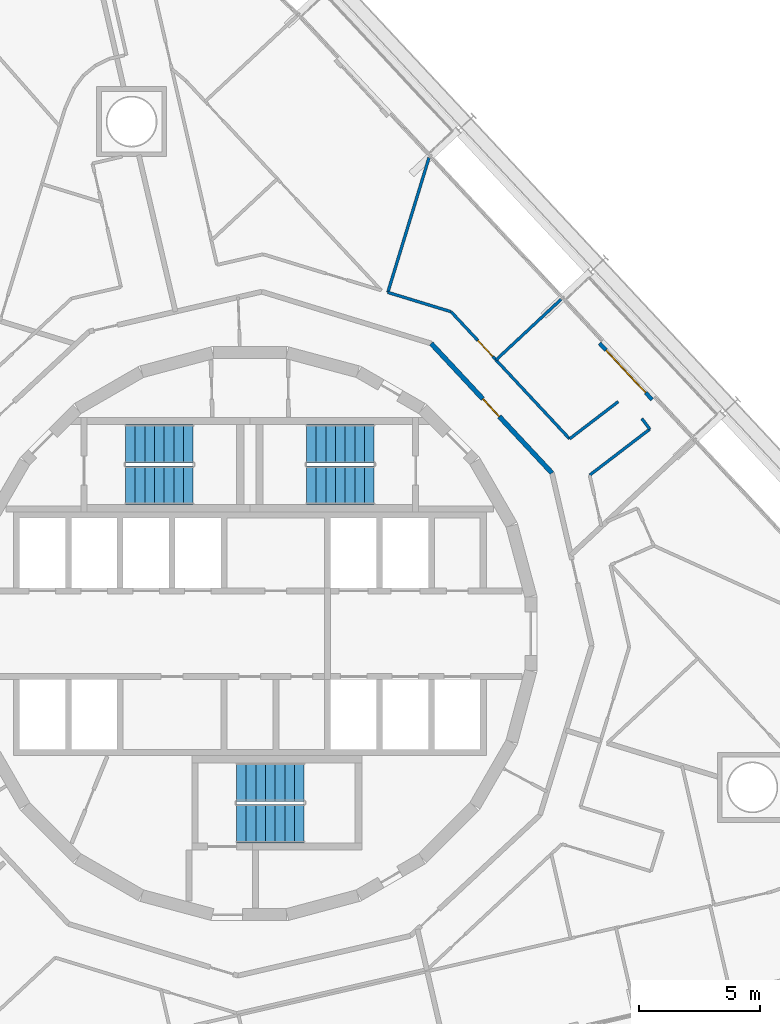
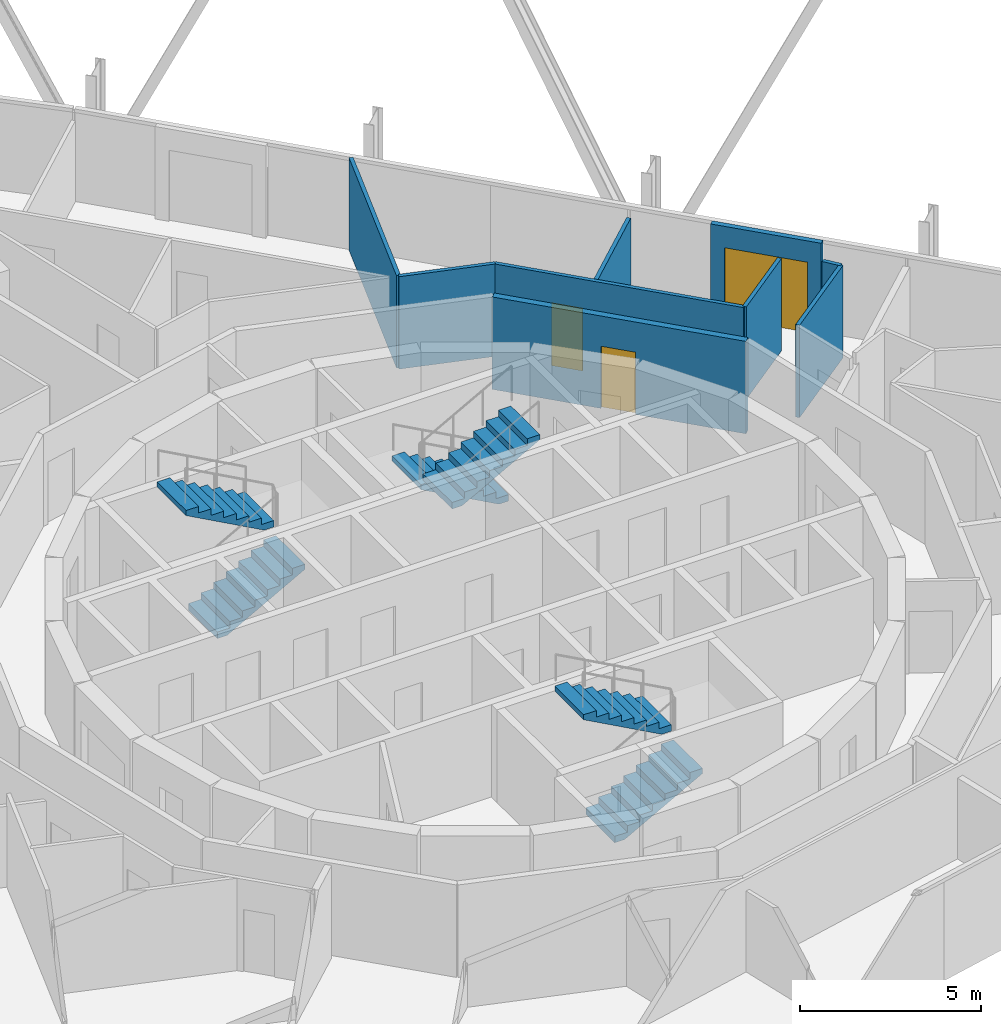
# One storey, part 17 of 18: 9 walls, 6 stair flights, 3 doors, 3 openings, 3 elements without a shape of their own.
"""IFC4 building model written with IfcOpenShell, lengths in metres."""

from ifc_helpers import new_model, si_unit, direction, frame, frame_2d, origin, place, context, subcontext, project, spatial, polyline, rectangle, outline, extrude, material, layer, layer_set, type_object, element, fill, aggregate, save


model = new_model("IFC4")

# Units and contexts
model_context = context("Model", 3, precision=1e-05, world=origin(), true_north=direction((0.0, 1.0)))
body_context = subcontext(model_context, "Body", "Model", "MODEL_VIEW")
ifc_project = project(units=[si_unit("LENGTHUNIT", "METRE"), si_unit("AREAUNIT", "SQUARE_METRE"), si_unit("VOLUMEUNIT", "CUBIC_METRE"), si_unit("PLANEANGLEUNIT", "RADIAN"), si_unit("MASSUNIT", "GRAM", prefix="KILO")], contexts=[model_context])

# Site, building, storey
site_placement = place(None, origin())
site = spatial("IfcSite", under=ifc_project, at=site_placement, CompositionType="ELEMENT")
building_placement = place(site_placement, origin())
building = spatial("IfcBuilding", under=site, at=building_placement, Name="Spindle Arch Residences", CompositionType="ELEMENT")
storey_placement = place(building_placement, frame((0.0, 0.0, 127.39990234375)))
storey = spatial("IfcBuildingStorey", under=building, at=storey_placement, Name="L31", CompositionType="ELEMENT", Elevation=127.39990234375)

# Wall, opening, door
ifc_material_1 = material(Name="Calcium silicate block, plastered")
ifc_layer_1 = layer(ifc_material_1, 0.199951171875)
ifc_layer_set_1 = layer_set([ifc_layer_1], Name="Corridor wall 200")
wall_type_1 = type_object("IfcWallType", Name="Corridor wall 200", PredefinedType="STANDARD", material=ifc_layer_set_1)
wall_1_placement = place(storey_placement, frame((12.523193359375, 6.65869140625, 0.0), z_axis=(0.0, 0.0, 1.0), x_axis=(-0.682001841105, 0.731350455479, 0.0)))
wall_1 = element("IfcWall", 1, at=wall_1_placement, inside=storey, type_object=wall_type_1, Name="Corridor wall R3B0-W005", PredefinedType="STANDARD", context=body_context, shape_type="SweptSolid", body=[
    extrude(rectangle(XDim=7.341796875, YDim=0.199951171875, at=frame_2d((3.6708984375, 0.0))), origin(), (0.0, 0.0, 1.0), 3.1201171875),
])
opening_1_placement = place(wall_1_placement, frame((3.199951171875, 0.0, 0.0)))
opening_1 = element("IfcOpeningElement", 2, at=opening_1_placement, cuts=wall_1, Name="Opening R3B0-FD01", PredefinedType="OPENING", context=body_context, shape_type="SweptSolid", body=[
    extrude(rectangle(XDim=1.0, YDim=2.10009765625, at=frame_2d((0.5, 1.050048828125))), frame((0.0, 0.10986328125, 0.0), z_axis=(0.0, -1.0, 0.0), x_axis=(1.0, 0.0, 0.0)), (0.0, 0.0, 1.0), 0.219970703125),
])
ifc_material_2 = material(Name="Timber, fire-resisting door set", Category="wood")
door_type_1 = type_object("IfcDoorType", Name="Flat entrance door 1000x2100", OperationType="NOTDEFINED", PredefinedType="DOOR", material=ifc_material_2)
door_1_placement = place(opening_1_placement, origin())
door_1 = element("IfcDoor", 3, at=door_1_placement, inside=storey, type_object=door_type_1, Name="Flat entrance door R3B0-FD01", OperationType="SINGLE_SWING_RIGHT", OverallHeight=2.10009765625, OverallWidth=1.0, PredefinedType="DOOR", context=body_context, shape_type="SweptSolid", body=[
    extrude(rectangle(XDim=1.0, YDim=2.10009765625, at=frame_2d((0.5, 1.050048828125))), frame((0.0, 0.02490234375, 0.0), z_axis=(0.0, -1.0, 0.0), x_axis=(1.0, 0.0, 0.0)), (0.0, 0.0, 1.0), 0.050048828125),
])
fill(opening_1, door_1)

# Walls
ifc_material_3 = material(Name="Plasterboard on steel studs", Category="steel")
ifc_layer_2 = layer(ifc_material_3, 0.1201171875)
ifc_layer_set_2 = layer_set([ifc_layer_2], Name="Flat partition 120")
wall_type_2 = type_object("IfcWallType", Name="Flat partition 120", PredefinedType="PARTITIONING", material=ifc_layer_set_2)
wall_2_placement = place(storey_placement, frame((14.083251953125, 6.56884765625, 0.0), z_axis=(0.0, 0.0, 1.0), x_axis=(0.794099847012, 0.607787325449, 0.0)))
element("IfcWall", 4, at=wall_2_placement, inside=storey, type_object=wall_type_2, Name="Flat partition R3B0-W028", PredefinedType="PARTITIONING", context=body_context, shape_type="SweptSolid", body=[
    extrude(rectangle(XDim=3.1435546875, YDim=0.1201171875, at=frame_2d((1.57177734375, 0.0))), origin(), (0.0, 0.0, 1.0), 3.1201171875),
])
wall_3_placement = place(storey_placement, frame((16.57958984375, 8.4794921875, 0.0), z_axis=(0.0, 0.0, 1.0), x_axis=(-0.607993560766, 0.793941956359, 0.0)))
element("IfcWall", 5, at=wall_3_placement, inside=storey, type_object=wall_type_2, Name="Flat partition R3B0-W029", PredefinedType="PARTITIONING", context=body_context, shape_type="SweptSolid", body=[
    extrude(rectangle(XDim=0.550048828125, YDim=0.1201171875, at=frame_2d((0.27490234375, 0.0))), origin(), (0.0, 0.0, 1.0), 3.1201171875),
])
wall_4_placement = place(storey_placement, frame((15.268310546875, 9.61669921875, 0.0), z_axis=(0.0, 0.0, 1.0), x_axis=(-0.79409554088, -0.607792951551, 0.0)))
element("IfcWall", 6, at=wall_4_placement, inside=storey, type_object=wall_type_2, Name="Flat partition R3B0-W030", PredefinedType="PARTITIONING", context=body_context, shape_type="SweptSolid", body=[
    extrude(rectangle(XDim=2.537109375, YDim=0.1201171875, at=frame_2d((1.2685546875, 0.0))), origin(), (0.0, 0.0, 1.0), 3.1201171875),
])

# Wall, opening, door
wall_5_placement = place(storey_placement, frame((13.253662109375, 8.07470703125, 0.0), z_axis=(0.0, 0.0, 1.0), x_axis=(-0.681995901471, 0.731355994285, 0.0)))
wall_5 = element("IfcWall", 7, at=wall_5_placement, inside=storey, type_object=wall_type_2, Name="Flat partition R3B0-W031", PredefinedType="PARTITIONING", context=body_context, shape_type="SweptSolid", body=[
    extrude(rectangle(XDim=7.20654296875, YDim=0.1201171875, at=frame_2d((3.603271484375, 0.0))), origin(), (0.0, 0.0, 1.0), 3.1201171875),
])
opening_2_placement = place(wall_5_placement, frame((4.671875, 0.0, 0.0)))
opening_2 = element("IfcOpeningElement", 8, at=opening_2_placement, cuts=wall_5, Name="Opening R3B0-ID02", PredefinedType="OPENING", context=body_context, shape_type="SweptSolid", body=[
    extrude(rectangle(XDim=0.89990234375, YDim=2.10009765625, at=frame_2d((0.449951171875, 1.050048828125))), frame((0.0, 0.070068359375, 0.0), z_axis=(0.0, -1.0, 0.0), x_axis=(1.0, 0.0, 0.0)), (0.0, 0.0, 1.0), 0.14013671875),
])
ifc_material_4 = material(Name="Timber door set", Category="wood")
door_type_2 = type_object("IfcDoorType", Name="Room door 900x2100", OperationType="NOTDEFINED", PredefinedType="DOOR", material=ifc_material_4)
door_2_placement = place(opening_2_placement, origin())
door_2 = element("IfcDoor", 9, at=door_2_placement, inside=storey, type_object=door_type_2, Name="Room door R3B0-ID02", OperationType="SINGLE_SWING_RIGHT", OverallHeight=2.10009765625, OverallWidth=0.89990234375, PredefinedType="DOOR", context=body_context, shape_type="SweptSolid", body=[
    extrude(rectangle(XDim=0.89990234375, YDim=2.10009765625, at=frame_2d((0.449951171875, 1.050048828125))), frame((0.0, 0.02490234375, 0.0), z_axis=(0.0, -1.0, 0.0), x_axis=(1.0, 0.0, 0.0)), (0.0, 0.0, 1.0), 0.050048828125),
])
fill(opening_2, door_2)

# Walls
wall_6_placement = place(storey_placement, frame((8.3388671875, 13.34521484375, 0.0), z_axis=(0.0, 0.0, 1.0), x_axis=(-0.956324586315, 0.292306834695, 0.0)))
element("IfcWall", 10, at=wall_6_placement, inside=storey, type_object=wall_type_2, Name="Flat partition R3B0-W032", PredefinedType="PARTITIONING", context=body_context, shape_type="SweptSolid", body=[
    extrude(rectangle(XDim=2.739501953125, YDim=0.1201171875, at=frame_2d((1.36962890625, 0.0))), origin(), (0.0, 0.0, 1.0), 3.1201171875),
])
wall_7_placement = place(storey_placement, frame((7.427490234375, 19.734375, 0.0), z_axis=(0.0, 0.0, 1.0), x_axis=(-0.292365007065, -0.956306803617, 0.0)))
element("IfcWall", 11, at=wall_7_placement, inside=storey, type_object=wall_type_2, Name="Flat partition R3B0-W041", PredefinedType="PARTITIONING", context=body_context, shape_type="SweptSolid", body=[
    extrude(rectangle(XDim=5.84375, YDim=0.1201171875, at=frame_2d((2.921875, 0.0))), origin(), (0.0, 0.0, 1.0), 3.1201171875),
])
ifc_material_5 = material(Name="Plasterboard on steel studs", Category="steel")
ifc_layer_3 = layer(ifc_material_5, 0.1201171875)
ifc_layer_set_3 = layer_set([ifc_layer_3], Name="Flat partition 120 under beam 2730")
wall_type_3 = type_object("IfcWallType", Name="Flat partition 120 under beam 2730", PredefinedType="PARTITIONING", material=ifc_layer_set_3)
wall_8_placement = place(storey_placement, frame((12.9033203125, 13.8623046875, 0.0), z_axis=(0.0, 0.0, 1.0), x_axis=(-0.731380732155, -0.68196937221, 0.0)))
element("IfcWall", 12, at=wall_8_placement, inside=storey, type_object=wall_type_3, Name="Flat partition R3B0-W040", PredefinedType="PARTITIONING", context=body_context, shape_type="SweptSolid", body=[
    extrude(rectangle(XDim=3.69091796875, YDim=0.1201171875, at=frame_2d((1.845458984375, 0.0))), origin(), (0.0, 0.0, 1.0), 2.72998046875),
])

# Wall, opening, door
ifc_material_6 = material(Name="Non-combustible mineral wool insulated aluminium faced external wall (K0)", Category="aluminium")
ifc_layer_4 = layer(ifc_material_6, 0.159912109375)
ifc_layer_set_4 = layer_set([ifc_layer_4], Name="Insulated external wall panel 160")
wall_type_4 = type_object("IfcWallType", Name="Insulated external wall panel 160", PredefinedType="STANDARD", material=ifc_layer_set_4)
wall_9_placement = place(storey_placement, frame((16.673828125, 9.701416015625, 0.0), z_axis=(0.0, 0.0, 1.0), x_axis=(-0.681994703002, 0.731357111866, 0.0)))
wall_9 = element("IfcWall", 13, at=wall_9_placement, inside=storey, type_object=wall_type_4, Name="External wall L31 bay 7", PredefinedType="STANDARD", context=body_context, shape_type="SweptSolid", body=[
    extrude(rectangle(XDim=3.199951171875, YDim=0.159912109375, at=frame_2d((1.60009765625, 0.0))), origin(), (0.0, 0.0, 1.0), 3.1201171875),
])
opening_3_placement = place(wall_9_placement, frame((0.39990234375, 0.0, 0.0)))
opening_3 = element("IfcOpeningElement", 14, at=opening_3_placement, cuts=wall_9, Name="Opening BD07", PredefinedType="OPENING", context=body_context, shape_type="SweptSolid", body=[
    extrude(rectangle(XDim=2.39990234375, YDim=2.39990234375, at=frame_2d((1.199951171875, 1.199951171875))), frame((0.0, 0.08984375, 0.0), z_axis=(0.0, -1.0, 0.0), x_axis=(1.0, 0.0, 0.0)), (0.0, 0.0, 1.0), 0.179931640625),
])
ifc_material_7 = material(Name="Bronze aluminium frame, tinted double glazing", Category="aluminium")
door_type_3 = type_object("IfcDoorType", Name="Sliding glazed balcony door 2400x2400", OperationType="DOUBLE_DOOR_SLIDING", PredefinedType="DOOR", material=ifc_material_7)
door_3_placement = place(opening_3_placement, origin())
door_3 = element("IfcDoor", 15, at=door_3_placement, inside=storey, type_object=door_type_3, Name="Balcony door BD07", OperationType="DOUBLE_DOOR_SLIDING", OverallHeight=2.39990234375, OverallWidth=2.39990234375, PredefinedType="DOOR", context=body_context, shape_type="SweptSolid", body=[
    extrude(rectangle(XDim=2.39990234375, YDim=2.39990234375, at=frame_2d((1.199951171875, 1.199951171875))), frame((0.0, 0.02490234375, 0.0), z_axis=(0.0, -1.0, 0.0), x_axis=(1.0, 0.0, 0.0)), (0.0, 0.0, 1.0), 0.050048828125),
])
fill(opening_3, door_3)

# Stair, stair flights
ifc_material_8 = material(Name="Concrete C50/60", Category="concrete")
stair_type = type_object("IfcStairType", Name="Exit stair 16 risers", PredefinedType="HALF_TURN_STAIR", material=ifc_material_8)
stair_1_placement = place(storey_placement, origin())
stair_1 = element("IfcStair", 16, at=stair_1_placement, inside=storey, type_object=stair_type, Name="L31 Exit stair ST1", PredefinedType="HALF_TURN_STAIR")
ifc_material_9 = material(Name="Concrete C50/60", Category="concrete")
stair_flight_type = type_object("IfcStairFlightType", Name="Exit stair flight", PredefinedType="STRAIGHT", material=ifc_material_9)
stair_flight_1_placement = place(storey_placement, frame((5.14990234375, 7.8701171875, 0.0), z_axis=(0.0, 0.0, 1.0), x_axis=(-1.0, 0.0, 0.0)))
stair_flight_1 = element("IfcStairFlight", 17, at=stair_flight_1_placement, type_object=stair_flight_type, Name="ST1 flight 1", NumberOfRisers=8, NumberOfTreads=7, PredefinedType="STRAIGHT", RiserHeight=0.21875, TreadLength=0.4, context=body_context, shape_type="SweptSolid", body=[
    extrude(outline(polyline([(0.0, 0.0), (0.0, 0.21875), (0.39990234375, 0.21875), (0.39990234375, 0.4375), (0.800048828125, 0.4375), (0.800048828125, 0.65625), (1.199951171875, 0.65625), (1.199951171875, 0.875), (1.60009765625, 0.875), (1.60009765625, 1.09375), (2.0, 1.09375), (2.0, 1.3125), (2.39990234375, 1.3125), (2.39990234375, 1.53125), (2.800048828125, 1.53125), (2.800048828125, 1.75), (2.800048828125, 1.3603515625), (0.3125, 0.0), (0.0, 0.0)])), frame((0.0, 0.800048828125, 0.0), z_axis=(0.0, -1.0, 0.0), x_axis=(1.0, 0.0, 0.0)), (0.0, 0.0, 1.0), 1.60009765625),
])
stair_flight_2_placement = place(storey_placement, frame((2.35009765625, 6.14990234375, 1.75), z_axis=(0.0, 0.0, 1.0), x_axis=(1.0, 0.0, 0.0)))
stair_flight_2 = element("IfcStairFlight", 18, at=stair_flight_2_placement, type_object=stair_flight_type, Name="ST1 flight 2", NumberOfRisers=8, NumberOfTreads=7, PredefinedType="STRAIGHT", RiserHeight=0.21875, TreadLength=0.4, context=body_context, shape_type="SweptSolid", body=[
    extrude(outline(polyline([(0.0, 0.0), (0.0, 0.21875), (0.39990234375, 0.21875), (0.39990234375, 0.4375), (0.800048828125, 0.4375), (0.800048828125, 0.65625), (1.199951171875, 0.65625), (1.199951171875, 0.875), (1.60009765625, 0.875), (1.60009765625, 1.09375), (2.0, 1.09375), (2.0, 1.3125), (2.39990234375, 1.3125), (2.39990234375, 1.53125), (2.800048828125, 1.53125), (2.800048828125, 1.75), (2.800048828125, 1.3603515625), (0.3125, 0.0), (0.0, 0.0)])), frame((0.0, 0.800048828125, 0.0), z_axis=(0.0, -1.0, 0.0), x_axis=(1.0, 0.0, 0.0)), (0.0, 0.0, 1.0), 1.60009765625),
])
aggregate(stair_1, [stair_flight_1, stair_flight_2])

stair_2_placement = place(storey_placement, origin())
stair_2 = element("IfcStair", 19, at=stair_2_placement, inside=storey, type_object=stair_type, Name="L31 Exit stair ST2", PredefinedType="HALF_TURN_STAIR")
stair_flight_3_placement = place(storey_placement, frame((-5.14990234375, 6.14990234375, 0.0), z_axis=(0.0, 0.0, 1.0), x_axis=(1.0, 0.0, 0.0)))
stair_flight_3 = element("IfcStairFlight", 20, at=stair_flight_3_placement, type_object=stair_flight_type, Name="ST2 flight 1", NumberOfRisers=8, NumberOfTreads=7, PredefinedType="STRAIGHT", RiserHeight=0.21875, TreadLength=0.4, context=body_context, shape_type="SweptSolid", body=[
    extrude(outline(polyline([(0.0, 0.0), (0.0, 0.21875), (0.39990234375, 0.21875), (0.39990234375, 0.4375), (0.800048828125, 0.4375), (0.800048828125, 0.65625), (1.199951171875, 0.65625), (1.199951171875, 0.875), (1.60009765625, 0.875), (1.60009765625, 1.09375), (2.0, 1.09375), (2.0, 1.3125), (2.39990234375, 1.3125), (2.39990234375, 1.53125), (2.800048828125, 1.53125), (2.800048828125, 1.75), (2.800048828125, 1.3603515625), (0.3125, 0.0), (0.0, 0.0)])), frame((0.0, 0.800048828125, 0.0), z_axis=(0.0, -1.0, 0.0), x_axis=(1.0, 0.0, 0.0)), (0.0, 0.0, 1.0), 1.60009765625),
])
stair_flight_4_placement = place(storey_placement, frame((-2.35009765625, 7.8701171875, 1.75), z_axis=(0.0, 0.0, 1.0), x_axis=(-1.0, 0.0, 0.0)))
stair_flight_4 = element("IfcStairFlight", 21, at=stair_flight_4_placement, type_object=stair_flight_type, Name="ST2 flight 2", NumberOfRisers=8, NumberOfTreads=7, PredefinedType="STRAIGHT", RiserHeight=0.21875, TreadLength=0.4, context=body_context, shape_type="SweptSolid", body=[
    extrude(outline(polyline([(0.0, 0.0), (0.0, 0.21875), (0.39990234375, 0.21875), (0.39990234375, 0.4375), (0.800048828125, 0.4375), (0.800048828125, 0.65625), (1.199951171875, 0.65625), (1.199951171875, 0.875), (1.60009765625, 0.875), (1.60009765625, 1.09375), (2.0, 1.09375), (2.0, 1.3125), (2.39990234375, 1.3125), (2.39990234375, 1.53125), (2.800048828125, 1.53125), (2.800048828125, 1.75), (2.800048828125, 1.3603515625), (0.3125, 0.0), (0.0, 0.0)])), frame((0.0, 0.800048828125, 0.0), z_axis=(0.0, -1.0, 0.0), x_axis=(1.0, 0.0, 0.0)), (0.0, 0.0, 1.0), 1.60009765625),
])
aggregate(stair_2, [stair_flight_3, stair_flight_4])

stair_3_placement = place(storey_placement, origin())
stair_3 = element("IfcStair", 22, at=stair_3_placement, inside=storey, type_object=stair_type, Name="L31 Exit stair ST3", PredefinedType="HALF_TURN_STAIR")
stair_flight_5_placement = place(storey_placement, frame((-0.550048828125, -7.8701171875, 0.0), z_axis=(0.0, 0.0, 1.0), x_axis=(1.0, 0.0, 0.0)))
stair_flight_5 = element("IfcStairFlight", 23, at=stair_flight_5_placement, type_object=stair_flight_type, Name="ST3 flight 1", NumberOfRisers=8, NumberOfTreads=7, PredefinedType="STRAIGHT", RiserHeight=0.21875, TreadLength=0.4, context=body_context, shape_type="SweptSolid", body=[
    extrude(outline(polyline([(0.0, 0.0), (0.0, 0.21875), (0.39990234375, 0.21875), (0.39990234375, 0.4375), (0.800048828125, 0.4375), (0.800048828125, 0.65625), (1.199951171875, 0.65625), (1.199951171875, 0.875), (1.60009765625, 0.875), (1.60009765625, 1.09375), (2.0, 1.09375), (2.0, 1.3125), (2.39990234375, 1.3125), (2.39990234375, 1.53125), (2.800048828125, 1.53125), (2.800048828125, 1.75), (2.800048828125, 1.3603515625), (0.3125, 0.0), (0.0, 0.0)])), frame((0.0, 0.800048828125, 0.0), z_axis=(0.0, -1.0, 0.0), x_axis=(1.0, 0.0, 0.0)), (0.0, 0.0, 1.0), 1.60009765625),
])
stair_flight_6_placement = place(storey_placement, frame((2.25, -6.14990234375, 1.75), z_axis=(0.0, 0.0, 1.0), x_axis=(-1.0, 0.0, 0.0)))
stair_flight_6 = element("IfcStairFlight", 24, at=stair_flight_6_placement, type_object=stair_flight_type, Name="ST3 flight 2", NumberOfRisers=8, NumberOfTreads=7, PredefinedType="STRAIGHT", RiserHeight=0.21875, TreadLength=0.4, context=body_context, shape_type="SweptSolid", body=[
    extrude(outline(polyline([(0.0, 0.0), (0.0, 0.21875), (0.39990234375, 0.21875), (0.39990234375, 0.4375), (0.800048828125, 0.4375), (0.800048828125, 0.65625), (1.199951171875, 0.65625), (1.199951171875, 0.875), (1.60009765625, 0.875), (1.60009765625, 1.09375), (2.0, 1.09375), (2.0, 1.3125), (2.39990234375, 1.3125), (2.39990234375, 1.53125), (2.800048828125, 1.53125), (2.800048828125, 1.75), (2.800048828125, 1.3603515625), (0.3125, 0.0), (0.0, 0.0)])), frame((0.0, 0.800048828125, 0.0), z_axis=(0.0, -1.0, 0.0), x_axis=(1.0, 0.0, 0.0)), (0.0, 0.0, 1.0), 1.60009765625),
])
aggregate(stair_3, [stair_flight_5, stair_flight_6])

save(model, "model.ifc")
